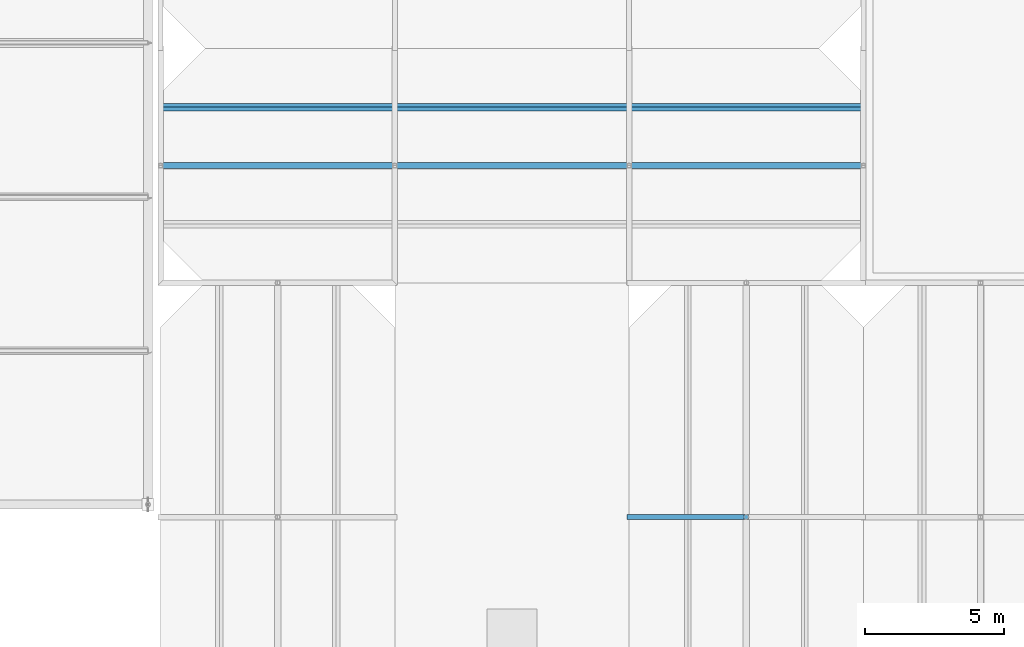
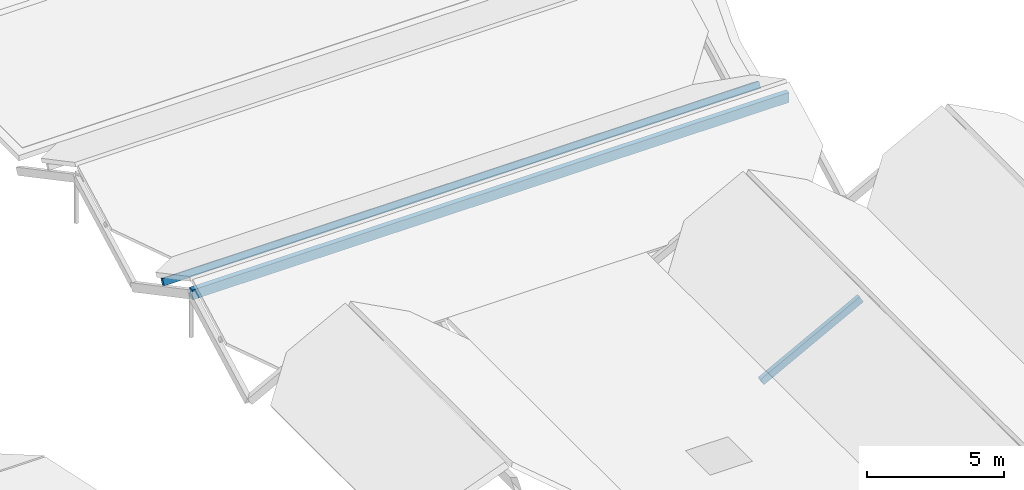
# One storey, part 26 of 82: 2 members, 1 beam.
"""IFC4 building model written with IfcOpenShell, lengths in metres."""

from ifc_helpers import new_model, si_unit, direction, frame, origin, origin_2d, place, context, subcontext, project, spatial, rectangle, extrude, material, material_profile, profile_set, type_object, element, save


model = new_model("IFC4")

# Units and contexts
model_context = context("Model", 3, precision=1e-05, world=origin(), true_north=direction((0.0, 1.0)))
body_context = subcontext(model_context, "Body", "Model", "MODEL_VIEW")
ifc_project = project(units=[si_unit("LENGTHUNIT", "METRE"), si_unit("AREAUNIT", "SQUARE_METRE"), si_unit("VOLUMEUNIT", "CUBIC_METRE"), si_unit("PLANEANGLEUNIT", "RADIAN"), si_unit("MASSUNIT", "GRAM", prefix="KILO")], contexts=[model_context])

# Site, building, storey
site_placement = place(None, origin())
site = spatial("IfcSite", under=ifc_project, at=site_placement, CompositionType="ELEMENT")
building_placement = place(site_placement, origin())
building = spatial("IfcBuilding", under=site, at=building_placement, Name="Bramfleet General Hospital", CompositionType="ELEMENT")
storey_placement = place(building_placement, frame((0.0, 0.0, 34.199951171875)))
storey = spatial("IfcBuildingStorey", under=building, at=storey_placement, Name="Roof", CompositionType="ELEMENT", Elevation=34.199951171875)

# Beam
ifc_material = material(Name="Structural timber GL28h", Category="wood")
ifc_material_profile_1 = material_profile(ifc_material, rectangle(XDim=0.219970703125, YDim=0.43994140625, at=origin_2d()), Name="GL28h 440x220")
ifc_profile_set_1 = profile_set([ifc_material_profile_1], Name="Structural timber GL28h")
beam_type = type_object("IfcBeamType", Name="BM-GL440", PredefinedType="BEAM", material=ifc_profile_set_1)
beam_placement = place(storey_placement, frame((92.39990234375, 29.39990234375, 1.476806640625), z_axis=(1.0, 0.0, 0.0), x_axis=(0.0, 1.0, 0.0)))
element("IfcBeam", 1, at=beam_placement, inside=storey, type_object=beam_type, Name="Patient House PH-09 Glulam Ridge Beam", PredefinedType="BEAM", context=body_context, shape_type="SweptSolid", body=[
    extrude(rectangle(XDim=0.219970703125, YDim=0.43994140625, at=origin_2d()), origin(), (0.0, 0.0, 1.0), 25.2001953125),
])

# Members
ifc_material_profile_2 = material_profile(ifc_material, rectangle(XDim=0.159912109375, YDim=0.280029296875, at=origin_2d()), Name="GL28h 280x160")
ifc_profile_set_2 = profile_set([ifc_material_profile_2], Name="Structural timber GL28h")
member_type_1 = type_object("IfcMemberType", Name="MEM-PR-GL280", PredefinedType="PURLIN", material=ifc_profile_set_2)
member_1_placement = place(storey_placement, frame((92.39990234375, 31.5, 0.71533203125), z_axis=(1.0, 0.0, 0.0), x_axis=(0.0, 0.882947592859, -0.469471562786)))
element("IfcMember", 2, at=member_1_placement, inside=storey, type_object=member_type_1, Name="Patient House PH-09 North Glulam Purlin", PredefinedType="PURLIN", context=body_context, shape_type="SweptSolid", body=[
    extrude(rectangle(XDim=0.159912109375, YDim=0.280029296875, at=origin_2d()), origin(), (0.0, 0.0, 1.0), 25.2001953125),
])
ifc_material_profile_3 = material_profile(ifc_material, rectangle(XDim=0.179931640625, YDim=0.320068359375, at=origin_2d()), Name="GL28h 320x180")
ifc_profile_set_3 = profile_set([ifc_material_profile_3], Name="Structural timber GL28h")
member_type_2 = type_object("IfcMemberType", Name="MEM-RF-GL320", PredefinedType="RAFTER", material=ifc_profile_set_3)
member_2_placement = place(storey_placement, frame((109.199951171875, 16.800048828125, -0.671875), z_axis=(0.882947536541, 0.0, 0.469471668705), x_axis=(0.0, 1.0, 0.0)))
element("IfcMember", 3, at=member_2_placement, inside=storey, type_object=member_type_2, Name="Patient House PH-06 West Glulam Rafter 2", PredefinedType="RAFTER", context=body_context, shape_type="SweptSolid", body=[
    extrude(rectangle(XDim=0.179931640625, YDim=0.320068359375, at=origin_2d()), origin(), (0.0, 0.0, 1.0), 4.7568359375),
])

save(model, "model.ifc")
